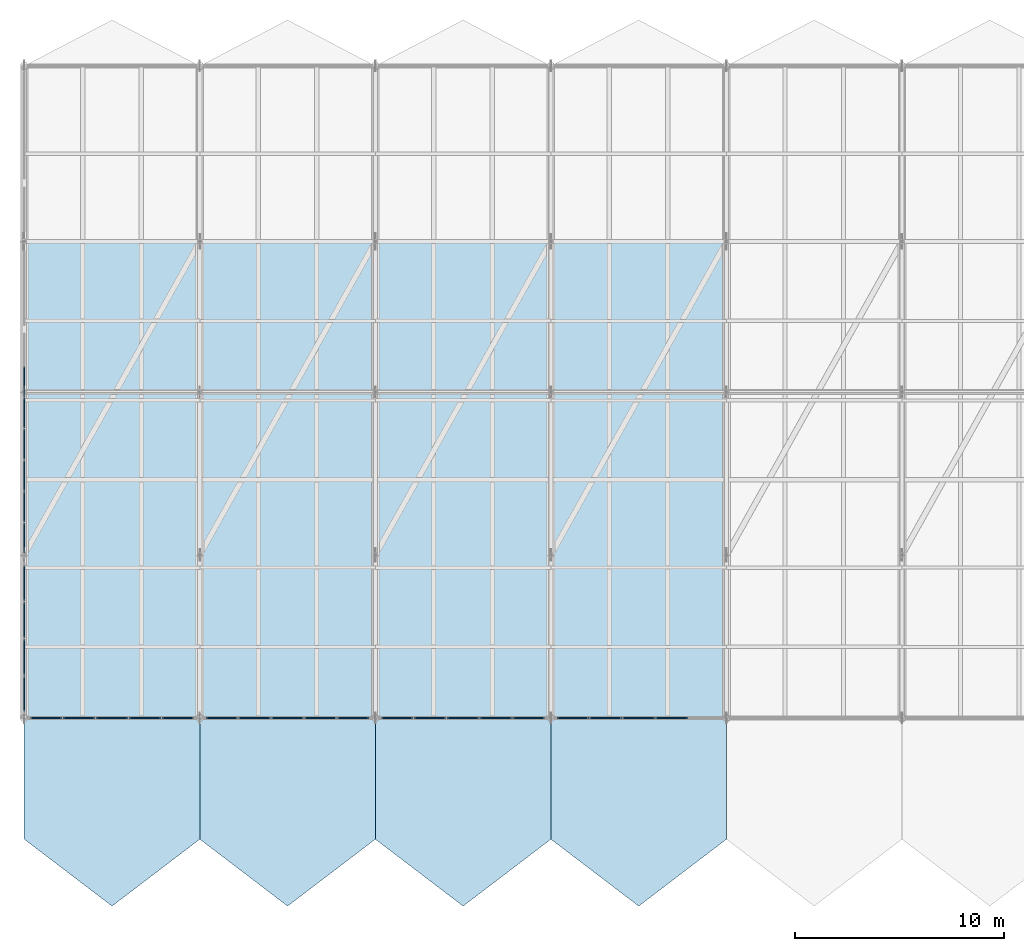
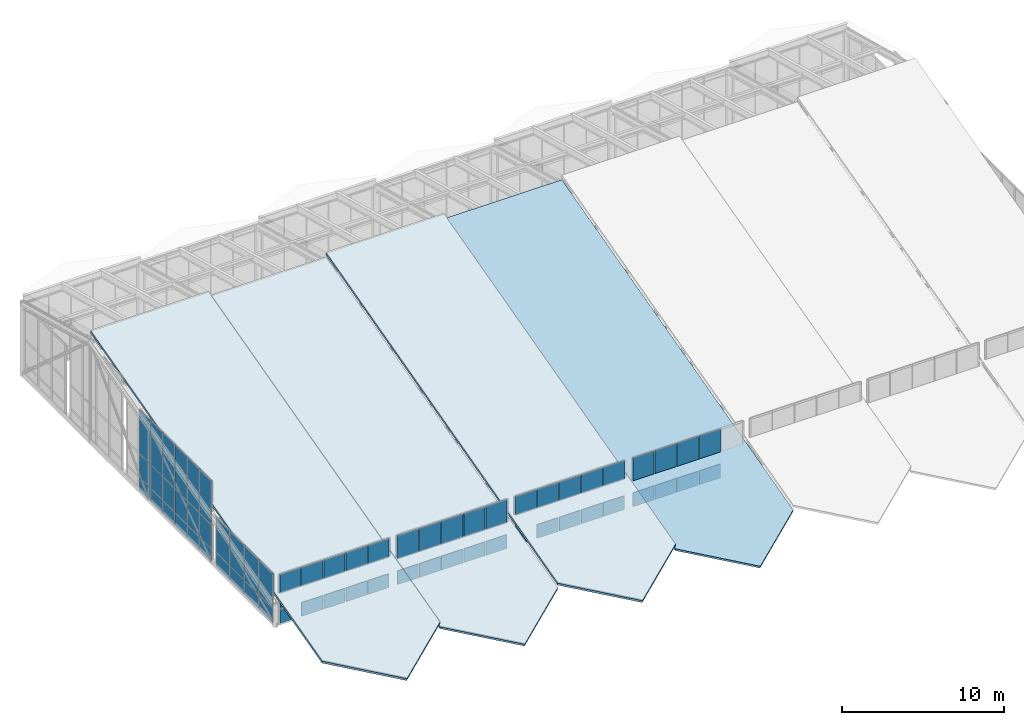
# One storey, part 36 of 43: 64 plates, 4 slabs, 6 elements without a shape of their own.
"""IFC4 building model written with IfcOpenShell, lengths in metres."""

from ifc_helpers import new_model, si_unit, direction, frame, origin, origin_2d, place, context, subcontext, project, spatial, polyline, rectangle, outline, extrude, material, layer, layer_set, type_object, element, aggregate, save


model = new_model("IFC4")

# Units and contexts
model_context = context("Model", 3, precision=1e-05, world=origin(), true_north=direction((0.0, 1.0)))
body_context = subcontext(model_context, "Body", "Model", "MODEL_VIEW")
ifc_project = project(units=[si_unit("LENGTHUNIT", "METRE"), si_unit("AREAUNIT", "SQUARE_METRE"), si_unit("VOLUMEUNIT", "CUBIC_METRE"), si_unit("PLANEANGLEUNIT", "RADIAN"), si_unit("MASSUNIT", "GRAM", prefix="KILO")], contexts=[model_context])

# Site, building, storey
site_placement = place(None, origin())
site = spatial("IfcSite", under=ifc_project, at=site_placement, CompositionType="ELEMENT")
building_placement = place(site_placement, origin())
building = spatial("IfcBuilding", under=site, at=building_placement, Name="Selat Folded Stagehouse", CompositionType="ELEMENT")
storey_placement = place(building_placement, frame((0.0, 0.0, 32.39990234375)))
storey = spatial("IfcBuildingStorey", under=building, at=storey_placement, Name="RF", CompositionType="ELEMENT", Elevation=32.39990234375)

# Curtain wall, plates
ifc_material_1 = material(Name="Aluminium 6063-T6", Category="aluminium")
ifc_layer_1 = layer(ifc_material_1, 0.169921875)
ifc_layer_set_1 = layer_set([ifc_layer_1], Name="Aluminium 6063-T6")
curtain_wall_type = type_object("IfcCurtainWallType", Name="CW-CRN-CLER", PredefinedType="NOTDEFINED", material=ifc_layer_set_1)
curtain_wall_1_placement = place(storey_placement, origin())
curtain_wall_1 = element("IfcCurtainWall", 1, at=curtain_wall_1_placement, inside=storey, type_object=curtain_wall_type, Name="RF curtain wall CW-RF-S-00", PredefinedType="NOTDEFINED")
ifc_material_2 = material(Name="Acoustic weather-louvre and frit crown panel", Category="aluminium")
ifc_layer_2 = layer(ifc_material_2, 0.06201171875)
ifc_layer_set_2 = layer_set([ifc_layer_2], Name="Acoustic weather-louvre and frit crown panel")
plate_type = type_object("IfcPlateType", Name="CWP-LVR-ALU62", PredefinedType="CURTAIN_PANEL", material=ifc_layer_set_2)
plate_1_placement = place(storey_placement, frame((15.7451171875, 23.39990234375, 0.06494140625), z_axis=(0.0, 0.0, 1.0), x_axis=(-1.0, 0.0, 0.0)))
plate_1 = element("IfcPlate", 2, at=plate_1_placement, type_object=plate_type, Name="CW-09 panel 1.1", PredefinedType="CURTAIN_PANEL", context=body_context, shape_type="SweptSolid", body=[
    extrude(rectangle(XDim=1.489990234375, YDim=0.06201171875, at=origin_2d()), origin(), (0.0, 0.0, 1.0), 1.052490234375),
])
plate_2_placement = place(storey_placement, frame((15.7451171875, 23.39990234375, 1.1826171875), z_axis=(0.0, 0.0, 1.0), x_axis=(-1.0, 0.0, 0.0)))
plate_2 = element("IfcPlate", 3, at=plate_2_placement, type_object=plate_type, Name="CW-09 panel 1.2", PredefinedType="CURTAIN_PANEL", context=body_context, shape_type="SweptSolid", body=[
    extrude(rectangle(XDim=1.489990234375, YDim=0.06201171875, at=origin_2d()), origin(), (0.0, 0.0, 1.0), 2.552490234375),
])
plate_3_placement = place(storey_placement, frame((14.179931640625, 23.39990234375, 0.06494140625), z_axis=(0.0, 0.0, 1.0), x_axis=(-1.0, 0.0, 0.0)))
plate_3 = element("IfcPlate", 4, at=plate_3_placement, type_object=plate_type, Name="CW-09 panel 2.1", PredefinedType="CURTAIN_PANEL", context=body_context, shape_type="SweptSolid", body=[
    extrude(rectangle(XDim=1.52001953125, YDim=0.06201171875, at=origin_2d()), origin(), (0.0, 0.0, 1.0), 1.052490234375),
])
plate_4_placement = place(storey_placement, frame((14.179931640625, 23.39990234375, 1.1826171875), z_axis=(0.0, 0.0, 1.0), x_axis=(-1.0, 0.0, 0.0)))
plate_4 = element("IfcPlate", 5, at=plate_4_placement, type_object=plate_type, Name="CW-09 panel 2.2", PredefinedType="CURTAIN_PANEL", context=body_context, shape_type="SweptSolid", body=[
    extrude(rectangle(XDim=1.52001953125, YDim=0.06201171875, at=origin_2d()), origin(), (0.0, 0.0, 1.0), 2.552490234375),
])
plate_5_placement = place(storey_placement, frame((12.60009765625, 23.39990234375, 0.06494140625), z_axis=(0.0, 0.0, 1.0), x_axis=(-1.0, 0.0, 0.0)))
plate_5 = element("IfcPlate", 6, at=plate_5_placement, type_object=plate_type, Name="CW-09 panel 3.1", PredefinedType="CURTAIN_PANEL", context=body_context, shape_type="SweptSolid", body=[
    extrude(rectangle(XDim=1.52001953125, YDim=0.06201171875, at=origin_2d()), origin(), (0.0, 0.0, 1.0), 1.052490234375),
])
plate_6_placement = place(storey_placement, frame((12.60009765625, 23.39990234375, 1.1826171875), z_axis=(0.0, 0.0, 1.0), x_axis=(-1.0, 0.0, 0.0)))
plate_6 = element("IfcPlate", 7, at=plate_6_placement, type_object=plate_type, Name="CW-09 panel 3.2", PredefinedType="CURTAIN_PANEL", context=body_context, shape_type="SweptSolid", body=[
    extrude(rectangle(XDim=1.52001953125, YDim=0.06201171875, at=origin_2d()), origin(), (0.0, 0.0, 1.0), 2.552490234375),
])
plate_7_placement = place(storey_placement, frame((11.02001953125, 23.39990234375, 0.06494140625), z_axis=(0.0, 0.0, 1.0), x_axis=(-1.0, 0.0, 0.0)))
plate_7 = element("IfcPlate", 8, at=plate_7_placement, type_object=plate_type, Name="CW-09 panel 4.1", PredefinedType="CURTAIN_PANEL", context=body_context, shape_type="SweptSolid", body=[
    extrude(rectangle(XDim=1.52001953125, YDim=0.06201171875, at=origin_2d()), origin(), (0.0, 0.0, 1.0), 1.052490234375),
])
plate_8_placement = place(storey_placement, frame((11.02001953125, 23.39990234375, 1.1826171875), z_axis=(0.0, 0.0, 1.0), x_axis=(-1.0, 0.0, 0.0)))
plate_8 = element("IfcPlate", 9, at=plate_8_placement, type_object=plate_type, Name="CW-09 panel 4.2", PredefinedType="CURTAIN_PANEL", context=body_context, shape_type="SweptSolid", body=[
    extrude(rectangle(XDim=1.52001953125, YDim=0.06201171875, at=origin_2d()), origin(), (0.0, 0.0, 1.0), 2.552490234375),
])
plate_9_placement = place(storey_placement, frame((9.455078125, 23.39990234375, 0.06494140625), z_axis=(0.0, 0.0, 1.0), x_axis=(-1.0, 0.0, 0.0)))
plate_9 = element("IfcPlate", 10, at=plate_9_placement, type_object=plate_type, Name="CW-09 panel 5.1", PredefinedType="CURTAIN_PANEL", context=body_context, shape_type="SweptSolid", body=[
    extrude(rectangle(XDim=1.489990234375, YDim=0.06201171875, at=origin_2d()), origin(), (0.0, 0.0, 1.0), 1.052490234375),
])
plate_10_placement = place(storey_placement, frame((9.455078125, 23.39990234375, 1.1826171875), z_axis=(0.0, 0.0, 1.0), x_axis=(-1.0, 0.0, 0.0)))
plate_10 = element("IfcPlate", 11, at=plate_10_placement, type_object=plate_type, Name="CW-09 panel 5.2", PredefinedType="CURTAIN_PANEL", context=body_context, shape_type="SweptSolid", body=[
    extrude(rectangle(XDim=1.489990234375, YDim=0.06201171875, at=origin_2d()), origin(), (0.0, 0.0, 1.0), 2.552490234375),
])
aggregate(curtain_wall_1, [plate_1, plate_2, plate_3, plate_4, plate_5, plate_6, plate_7, plate_8, plate_9, plate_10])

curtain_wall_2_placement = place(storey_placement, origin())
curtain_wall_2 = element("IfcCurtainWall", 12, at=curtain_wall_2_placement, inside=storey, type_object=curtain_wall_type, Name="RF curtain wall CW-RF-S-01", PredefinedType="NOTDEFINED")
plate_11_placement = place(storey_placement, frame((24.14501953125, 23.39990234375, 0.06494140625), z_axis=(0.0, 0.0, 1.0), x_axis=(-1.0, 0.0, 0.0)))
plate_11 = element("IfcPlate", 13, at=plate_11_placement, type_object=plate_type, Name="CW-09 panel 1.1", PredefinedType="CURTAIN_PANEL", context=body_context, shape_type="SweptSolid", body=[
    extrude(rectangle(XDim=1.489990234375, YDim=0.06201171875, at=origin_2d()), origin(), (0.0, 0.0, 1.0), 1.052490234375),
])
plate_12_placement = place(storey_placement, frame((24.14501953125, 23.39990234375, 1.1826171875), z_axis=(0.0, 0.0, 1.0), x_axis=(-1.0, 0.0, 0.0)))
plate_12 = element("IfcPlate", 14, at=plate_12_placement, type_object=plate_type, Name="CW-09 panel 1.2", PredefinedType="CURTAIN_PANEL", context=body_context, shape_type="SweptSolid", body=[
    extrude(rectangle(XDim=1.489990234375, YDim=0.06201171875, at=origin_2d()), origin(), (0.0, 0.0, 1.0), 2.552490234375),
])
plate_13_placement = place(storey_placement, frame((22.580078125, 23.39990234375, 0.06494140625), z_axis=(0.0, 0.0, 1.0), x_axis=(-1.0, 0.0, 0.0)))
plate_13 = element("IfcPlate", 15, at=plate_13_placement, type_object=plate_type, Name="CW-09 panel 2.1", PredefinedType="CURTAIN_PANEL", context=body_context, shape_type="SweptSolid", body=[
    extrude(rectangle(XDim=1.52001953125, YDim=0.06201171875, at=origin_2d()), origin(), (0.0, 0.0, 1.0), 1.052490234375),
])
plate_14_placement = place(storey_placement, frame((22.580078125, 23.39990234375, 1.1826171875), z_axis=(0.0, 0.0, 1.0), x_axis=(-1.0, 0.0, 0.0)))
plate_14 = element("IfcPlate", 16, at=plate_14_placement, type_object=plate_type, Name="CW-09 panel 2.2", PredefinedType="CURTAIN_PANEL", context=body_context, shape_type="SweptSolid", body=[
    extrude(rectangle(XDim=1.52001953125, YDim=0.06201171875, at=origin_2d()), origin(), (0.0, 0.0, 1.0), 2.552490234375),
])
plate_15_placement = place(storey_placement, frame((21.0, 23.39990234375, 0.06494140625), z_axis=(0.0, 0.0, 1.0), x_axis=(-1.0, 0.0, 0.0)))
plate_15 = element("IfcPlate", 17, at=plate_15_placement, type_object=plate_type, Name="CW-09 panel 3.1", PredefinedType="CURTAIN_PANEL", context=body_context, shape_type="SweptSolid", body=[
    extrude(rectangle(XDim=1.52001953125, YDim=0.06201171875, at=origin_2d()), origin(), (0.0, 0.0, 1.0), 1.052490234375),
])
plate_16_placement = place(storey_placement, frame((21.0, 23.39990234375, 1.1826171875), z_axis=(0.0, 0.0, 1.0), x_axis=(-1.0, 0.0, 0.0)))
plate_16 = element("IfcPlate", 18, at=plate_16_placement, type_object=plate_type, Name="CW-09 panel 3.2", PredefinedType="CURTAIN_PANEL", context=body_context, shape_type="SweptSolid", body=[
    extrude(rectangle(XDim=1.52001953125, YDim=0.06201171875, at=origin_2d()), origin(), (0.0, 0.0, 1.0), 2.552490234375),
])
plate_17_placement = place(storey_placement, frame((19.419921875, 23.39990234375, 0.06494140625), z_axis=(0.0, 0.0, 1.0), x_axis=(-1.0, 0.0, 0.0)))
plate_17 = element("IfcPlate", 19, at=plate_17_placement, type_object=plate_type, Name="CW-09 panel 4.1", PredefinedType="CURTAIN_PANEL", context=body_context, shape_type="SweptSolid", body=[
    extrude(rectangle(XDim=1.52001953125, YDim=0.06201171875, at=origin_2d()), origin(), (0.0, 0.0, 1.0), 1.052490234375),
])
plate_18_placement = place(storey_placement, frame((19.419921875, 23.39990234375, 1.1826171875), z_axis=(0.0, 0.0, 1.0), x_axis=(-1.0, 0.0, 0.0)))
plate_18 = element("IfcPlate", 20, at=plate_18_placement, type_object=plate_type, Name="CW-09 panel 4.2", PredefinedType="CURTAIN_PANEL", context=body_context, shape_type="SweptSolid", body=[
    extrude(rectangle(XDim=1.52001953125, YDim=0.06201171875, at=origin_2d()), origin(), (0.0, 0.0, 1.0), 2.552490234375),
])
plate_19_placement = place(storey_placement, frame((17.85498046875, 23.39990234375, 0.06494140625), z_axis=(0.0, 0.0, 1.0), x_axis=(-1.0, 0.0, 0.0)))
plate_19 = element("IfcPlate", 21, at=plate_19_placement, type_object=plate_type, Name="CW-09 panel 5.1", PredefinedType="CURTAIN_PANEL", context=body_context, shape_type="SweptSolid", body=[
    extrude(rectangle(XDim=1.489990234375, YDim=0.06201171875, at=origin_2d()), origin(), (0.0, 0.0, 1.0), 1.052490234375),
])
plate_20_placement = place(storey_placement, frame((17.85498046875, 23.39990234375, 1.1826171875), z_axis=(0.0, 0.0, 1.0), x_axis=(-1.0, 0.0, 0.0)))
plate_20 = element("IfcPlate", 22, at=plate_20_placement, type_object=plate_type, Name="CW-09 panel 5.2", PredefinedType="CURTAIN_PANEL", context=body_context, shape_type="SweptSolid", body=[
    extrude(rectangle(XDim=1.489990234375, YDim=0.06201171875, at=origin_2d()), origin(), (0.0, 0.0, 1.0), 2.552490234375),
])
aggregate(curtain_wall_2, [plate_11, plate_12, plate_13, plate_14, plate_15, plate_16, plate_17, plate_18, plate_19, plate_20])

curtain_wall_3_placement = place(storey_placement, origin())
curtain_wall_3 = element("IfcCurtainWall", 23, at=curtain_wall_3_placement, inside=storey, type_object=curtain_wall_type, Name="RF curtain wall CW-RF-S-02", PredefinedType="NOTDEFINED")
plate_21_placement = place(storey_placement, frame((32.544921875, 23.39990234375, 0.06494140625), z_axis=(0.0, 0.0, 1.0), x_axis=(-1.0, 0.0, 0.0)))
plate_21 = element("IfcPlate", 24, at=plate_21_placement, type_object=plate_type, Name="CW-09 panel 1.1", PredefinedType="CURTAIN_PANEL", context=body_context, shape_type="SweptSolid", body=[
    extrude(rectangle(XDim=1.489990234375, YDim=0.06201171875, at=origin_2d()), origin(), (0.0, 0.0, 1.0), 1.052490234375),
])
plate_22_placement = place(storey_placement, frame((32.544921875, 23.39990234375, 1.1826171875), z_axis=(0.0, 0.0, 1.0), x_axis=(-1.0, 0.0, 0.0)))
plate_22 = element("IfcPlate", 25, at=plate_22_placement, type_object=plate_type, Name="CW-09 panel 1.2", PredefinedType="CURTAIN_PANEL", context=body_context, shape_type="SweptSolid", body=[
    extrude(rectangle(XDim=1.489990234375, YDim=0.06201171875, at=origin_2d()), origin(), (0.0, 0.0, 1.0), 2.552490234375),
])
plate_23_placement = place(storey_placement, frame((30.97998046875, 23.39990234375, 0.06494140625), z_axis=(0.0, 0.0, 1.0), x_axis=(-1.0, 0.0, 0.0)))
plate_23 = element("IfcPlate", 26, at=plate_23_placement, type_object=plate_type, Name="CW-09 panel 2.1", PredefinedType="CURTAIN_PANEL", context=body_context, shape_type="SweptSolid", body=[
    extrude(rectangle(XDim=1.52001953125, YDim=0.06201171875, at=origin_2d()), origin(), (0.0, 0.0, 1.0), 1.052490234375),
])
plate_24_placement = place(storey_placement, frame((30.97998046875, 23.39990234375, 1.1826171875), z_axis=(0.0, 0.0, 1.0), x_axis=(-1.0, 0.0, 0.0)))
plate_24 = element("IfcPlate", 27, at=plate_24_placement, type_object=plate_type, Name="CW-09 panel 2.2", PredefinedType="CURTAIN_PANEL", context=body_context, shape_type="SweptSolid", body=[
    extrude(rectangle(XDim=1.52001953125, YDim=0.06201171875, at=origin_2d()), origin(), (0.0, 0.0, 1.0), 2.552490234375),
])
plate_25_placement = place(storey_placement, frame((29.39990234375, 23.39990234375, 0.06494140625), z_axis=(0.0, 0.0, 1.0), x_axis=(-1.0, 0.0, 0.0)))
plate_25 = element("IfcPlate", 28, at=plate_25_placement, type_object=plate_type, Name="CW-09 panel 3.1", PredefinedType="CURTAIN_PANEL", context=body_context, shape_type="SweptSolid", body=[
    extrude(rectangle(XDim=1.52001953125, YDim=0.06201171875, at=origin_2d()), origin(), (0.0, 0.0, 1.0), 1.052490234375),
])
plate_26_placement = place(storey_placement, frame((29.39990234375, 23.39990234375, 1.1826171875), z_axis=(0.0, 0.0, 1.0), x_axis=(-1.0, 0.0, 0.0)))
plate_26 = element("IfcPlate", 29, at=plate_26_placement, type_object=plate_type, Name="CW-09 panel 3.2", PredefinedType="CURTAIN_PANEL", context=body_context, shape_type="SweptSolid", body=[
    extrude(rectangle(XDim=1.52001953125, YDim=0.06201171875, at=origin_2d()), origin(), (0.0, 0.0, 1.0), 2.552490234375),
])
plate_27_placement = place(storey_placement, frame((27.820068359375, 23.39990234375, 0.06494140625), z_axis=(0.0, 0.0, 1.0), x_axis=(-1.0, 0.0, 0.0)))
plate_27 = element("IfcPlate", 30, at=plate_27_placement, type_object=plate_type, Name="CW-09 panel 4.1", PredefinedType="CURTAIN_PANEL", context=body_context, shape_type="SweptSolid", body=[
    extrude(rectangle(XDim=1.52001953125, YDim=0.06201171875, at=origin_2d()), origin(), (0.0, 0.0, 1.0), 1.052490234375),
])
plate_28_placement = place(storey_placement, frame((27.820068359375, 23.39990234375, 1.1826171875), z_axis=(0.0, 0.0, 1.0), x_axis=(-1.0, 0.0, 0.0)))
plate_28 = element("IfcPlate", 31, at=plate_28_placement, type_object=plate_type, Name="CW-09 panel 4.2", PredefinedType="CURTAIN_PANEL", context=body_context, shape_type="SweptSolid", body=[
    extrude(rectangle(XDim=1.52001953125, YDim=0.06201171875, at=origin_2d()), origin(), (0.0, 0.0, 1.0), 2.552490234375),
])
plate_29_placement = place(storey_placement, frame((26.2548828125, 23.39990234375, 0.06494140625), z_axis=(0.0, 0.0, 1.0), x_axis=(-1.0, 0.0, 0.0)))
plate_29 = element("IfcPlate", 32, at=plate_29_placement, type_object=plate_type, Name="CW-09 panel 5.1", PredefinedType="CURTAIN_PANEL", context=body_context, shape_type="SweptSolid", body=[
    extrude(rectangle(XDim=1.489990234375, YDim=0.06201171875, at=origin_2d()), origin(), (0.0, 0.0, 1.0), 1.052490234375),
])
plate_30_placement = place(storey_placement, frame((26.2548828125, 23.39990234375, 1.1826171875), z_axis=(0.0, 0.0, 1.0), x_axis=(-1.0, 0.0, 0.0)))
plate_30 = element("IfcPlate", 33, at=plate_30_placement, type_object=plate_type, Name="CW-09 panel 5.2", PredefinedType="CURTAIN_PANEL", context=body_context, shape_type="SweptSolid", body=[
    extrude(rectangle(XDim=1.489990234375, YDim=0.06201171875, at=origin_2d()), origin(), (0.0, 0.0, 1.0), 2.552490234375),
])
aggregate(curtain_wall_3, [plate_21, plate_22, plate_23, plate_24, plate_25, plate_26, plate_27, plate_28, plate_29, plate_30])

curtain_wall_4_placement = place(storey_placement, origin())
curtain_wall_4 = element("IfcCurtainWall", 34, at=curtain_wall_4_placement, inside=storey, type_object=curtain_wall_type, Name="RF curtain wall CW-RF-S-03", PredefinedType="NOTDEFINED")
plate_31_placement = place(storey_placement, frame((39.3798828125, 23.39990234375, 0.06494140625), z_axis=(0.0, 0.0, 1.0), x_axis=(-1.0, 0.0, 0.0)))
plate_31 = element("IfcPlate", 35, at=plate_31_placement, type_object=plate_type, Name="CW-09 panel 2.1", PredefinedType="CURTAIN_PANEL", context=body_context, shape_type="SweptSolid", body=[
    extrude(rectangle(XDim=1.52001953125, YDim=0.06201171875, at=origin_2d()), origin(), (0.0, 0.0, 1.0), 1.052490234375),
])
plate_32_placement = place(storey_placement, frame((39.3798828125, 23.39990234375, 1.1826171875), z_axis=(0.0, 0.0, 1.0), x_axis=(-1.0, 0.0, 0.0)))
plate_32 = element("IfcPlate", 36, at=plate_32_placement, type_object=plate_type, Name="CW-09 panel 2.2", PredefinedType="CURTAIN_PANEL", context=body_context, shape_type="SweptSolid", body=[
    extrude(rectangle(XDim=1.52001953125, YDim=0.06201171875, at=origin_2d()), origin(), (0.0, 0.0, 1.0), 2.552490234375),
])
plate_33_placement = place(storey_placement, frame((37.800048828125, 23.39990234375, 0.06494140625), z_axis=(0.0, 0.0, 1.0), x_axis=(-1.0, 0.0, 0.0)))
plate_33 = element("IfcPlate", 37, at=plate_33_placement, type_object=plate_type, Name="CW-09 panel 3.1", PredefinedType="CURTAIN_PANEL", context=body_context, shape_type="SweptSolid", body=[
    extrude(rectangle(XDim=1.52001953125, YDim=0.06201171875, at=origin_2d()), origin(), (0.0, 0.0, 1.0), 1.052490234375),
])
plate_34_placement = place(storey_placement, frame((37.800048828125, 23.39990234375, 1.1826171875), z_axis=(0.0, 0.0, 1.0), x_axis=(-1.0, 0.0, 0.0)))
plate_34 = element("IfcPlate", 38, at=plate_34_placement, type_object=plate_type, Name="CW-09 panel 3.2", PredefinedType="CURTAIN_PANEL", context=body_context, shape_type="SweptSolid", body=[
    extrude(rectangle(XDim=1.52001953125, YDim=0.06201171875, at=origin_2d()), origin(), (0.0, 0.0, 1.0), 2.552490234375),
])
plate_35_placement = place(storey_placement, frame((36.219970703125, 23.39990234375, 0.06494140625), z_axis=(0.0, 0.0, 1.0), x_axis=(-1.0, 0.0, 0.0)))
plate_35 = element("IfcPlate", 39, at=plate_35_placement, type_object=plate_type, Name="CW-09 panel 4.1", PredefinedType="CURTAIN_PANEL", context=body_context, shape_type="SweptSolid", body=[
    extrude(rectangle(XDim=1.52001953125, YDim=0.06201171875, at=origin_2d()), origin(), (0.0, 0.0, 1.0), 1.052490234375),
])
plate_36_placement = place(storey_placement, frame((36.219970703125, 23.39990234375, 1.1826171875), z_axis=(0.0, 0.0, 1.0), x_axis=(-1.0, 0.0, 0.0)))
plate_36 = element("IfcPlate", 40, at=plate_36_placement, type_object=plate_type, Name="CW-09 panel 4.2", PredefinedType="CURTAIN_PANEL", context=body_context, shape_type="SweptSolid", body=[
    extrude(rectangle(XDim=1.52001953125, YDim=0.06201171875, at=origin_2d()), origin(), (0.0, 0.0, 1.0), 2.552490234375),
])
plate_37_placement = place(storey_placement, frame((34.655029296875, 23.39990234375, 0.06494140625), z_axis=(0.0, 0.0, 1.0), x_axis=(-1.0, 0.0, 0.0)))
plate_37 = element("IfcPlate", 41, at=plate_37_placement, type_object=plate_type, Name="CW-09 panel 5.1", PredefinedType="CURTAIN_PANEL", context=body_context, shape_type="SweptSolid", body=[
    extrude(rectangle(XDim=1.489990234375, YDim=0.06201171875, at=origin_2d()), origin(), (0.0, 0.0, 1.0), 1.052490234375),
])
plate_38_placement = place(storey_placement, frame((34.655029296875, 23.39990234375, 1.1826171875), z_axis=(0.0, 0.0, 1.0), x_axis=(-1.0, 0.0, 0.0)))
plate_38 = element("IfcPlate", 42, at=plate_38_placement, type_object=plate_type, Name="CW-09 panel 5.2", PredefinedType="CURTAIN_PANEL", context=body_context, shape_type="SweptSolid", body=[
    extrude(rectangle(XDim=1.489990234375, YDim=0.06201171875, at=origin_2d()), origin(), (0.0, 0.0, 1.0), 2.552490234375),
])
aggregate(curtain_wall_4, [plate_31, plate_32, plate_33, plate_34, plate_35, plate_36, plate_37, plate_38])

curtain_wall_5_placement = place(storey_placement, origin())
curtain_wall_5 = element("IfcCurtainWall", 43, at=curtain_wall_5_placement, inside=storey, type_object=curtain_wall_type, Name="RF curtain wall CW-RF-W-00", PredefinedType="NOTDEFINED")
plate_39_placement = place(storey_placement, frame((8.39990234375, 24.5537109375, 0.06494140625), z_axis=(0.0, 0.0, 1.0), x_axis=(0.0, 1.0, 0.0)))
plate_39 = element("IfcPlate", 44, at=plate_39_placement, type_object=plate_type, Name="CW-09 panel 1.1", PredefinedType="CURTAIN_PANEL", context=body_context, shape_type="SweptSolid", body=[
    extrude(rectangle(XDim=1.677490234375, YDim=0.06201171875, at=origin_2d()), origin(), (0.0, 0.0, 1.0), 1.052490234375),
])
plate_40_placement = place(storey_placement, frame((8.39990234375, 24.5537109375, 1.1826171875), z_axis=(0.0, 0.0, 1.0), x_axis=(0.0, 1.0, 0.0)))
plate_40 = element("IfcPlate", 45, at=plate_40_placement, type_object=plate_type, Name="CW-09 panel 1.2", PredefinedType="CURTAIN_PANEL", context=body_context, shape_type="SweptSolid", body=[
    extrude(rectangle(XDim=1.677490234375, YDim=0.06201171875, at=origin_2d()), origin(), (0.0, 0.0, 1.0), 2.552490234375),
])
plate_41_placement = place(storey_placement, frame((8.39990234375, 26.3125, 0.06494140625), z_axis=(0.0, 0.0, 1.0), x_axis=(0.0, 1.0, 0.0)))
plate_41 = element("IfcPlate", 46, at=plate_41_placement, type_object=plate_type, Name="CW-09 panel 2.1", PredefinedType="CURTAIN_PANEL", context=body_context, shape_type="SweptSolid", body=[
    extrude(rectangle(XDim=1.7099609375, YDim=0.06201171875, at=origin_2d()), origin(), (0.0, 0.0, 1.0), 1.052490234375),
])
plate_42_placement = place(storey_placement, frame((8.39990234375, 26.3125, 1.1826171875), z_axis=(0.0, 0.0, 1.0), x_axis=(0.0, 1.0, 0.0)))
plate_42 = element("IfcPlate", 47, at=plate_42_placement, type_object=plate_type, Name="CW-09 panel 2.2", PredefinedType="CURTAIN_PANEL", context=body_context, shape_type="SweptSolid", body=[
    extrude(rectangle(XDim=1.7099609375, YDim=0.06201171875, at=origin_2d()), origin(), (0.0, 0.0, 1.0), 2.552490234375),
])
plate_43_placement = place(storey_placement, frame((8.39990234375, 28.08740234375, 0.06494140625), z_axis=(0.0, 0.0, 1.0), x_axis=(0.0, 1.0, 0.0)))
plate_43 = element("IfcPlate", 48, at=plate_43_placement, type_object=plate_type, Name="CW-09 panel 3.1", PredefinedType="CURTAIN_PANEL", context=body_context, shape_type="SweptSolid", body=[
    extrude(rectangle(XDim=1.7099609375, YDim=0.06201171875, at=origin_2d()), origin(), (0.0, 0.0, 1.0), 1.052490234375),
])
plate_44_placement = place(storey_placement, frame((8.39990234375, 28.08740234375, 1.1826171875), z_axis=(0.0, 0.0, 1.0), x_axis=(0.0, 1.0, 0.0)))
plate_44 = element("IfcPlate", 49, at=plate_44_placement, type_object=plate_type, Name="CW-09 panel 3.2", PredefinedType="CURTAIN_PANEL", context=body_context, shape_type="SweptSolid", body=[
    extrude(rectangle(XDim=1.7099609375, YDim=0.06201171875, at=origin_2d()), origin(), (0.0, 0.0, 1.0), 2.552490234375),
])
plate_45_placement = place(storey_placement, frame((8.39990234375, 29.84619140625, 0.06494140625), z_axis=(0.0, 0.0, 1.0), x_axis=(0.0, 1.0, 0.0)))
plate_45 = element("IfcPlate", 50, at=plate_45_placement, type_object=plate_type, Name="CW-09 panel 4.1", PredefinedType="CURTAIN_PANEL", context=body_context, shape_type="SweptSolid", body=[
    extrude(rectangle(XDim=1.677490234375, YDim=0.06201171875, at=origin_2d()), origin(), (0.0, 0.0, 1.0), 1.052490234375),
])
plate_46_placement = place(storey_placement, frame((8.39990234375, 29.84619140625, 1.1826171875), z_axis=(0.0, 0.0, 1.0), x_axis=(0.0, 1.0, 0.0)))
plate_46 = element("IfcPlate", 51, at=plate_46_placement, type_object=plate_type, Name="CW-09 panel 4.2", PredefinedType="CURTAIN_PANEL", context=body_context, shape_type="SweptSolid", body=[
    extrude(rectangle(XDim=1.677490234375, YDim=0.06201171875, at=origin_2d()), origin(), (0.0, 0.0, 1.0), 2.552490234375),
])
aggregate(curtain_wall_5, [plate_39, plate_40, plate_41, plate_42, plate_43, plate_44, plate_45, plate_46])

curtain_wall_6_placement = place(storey_placement, origin())
curtain_wall_6 = element("IfcCurtainWall", 52, at=curtain_wall_6_placement, inside=storey, type_object=curtain_wall_type, Name="RF curtain wall CW-RF-W-01", PredefinedType="NOTDEFINED")
plate_47_placement = place(storey_placement, frame((8.39990234375, 32.016357421875, 0.06494140625), z_axis=(0.0, 0.0, 1.0), x_axis=(0.0, 1.0, 0.0)))
plate_47 = element("IfcPlate", 53, at=plate_47_placement, type_object=plate_type, Name="CW-09 panel 1.1", PredefinedType="CURTAIN_PANEL", context=body_context, shape_type="SweptSolid", body=[
    extrude(rectangle(XDim=1.402587890625, YDim=0.06201171875, at=origin_2d()), origin(), (0.0, 0.0, 1.0), 0.952392578125),
])
plate_48_placement = place(storey_placement, frame((8.39990234375, 32.016357421875, 1.08251953125), z_axis=(0.0, 0.0, 1.0), x_axis=(0.0, 1.0, 0.0)))
plate_48 = element("IfcPlate", 54, at=plate_48_placement, type_object=plate_type, Name="CW-09 panel 1.2", PredefinedType="CURTAIN_PANEL", context=body_context, shape_type="SweptSolid", body=[
    extrude(rectangle(XDim=1.402587890625, YDim=0.06201171875, at=origin_2d()), origin(), (0.0, 0.0, 1.0), 1.735107421875),
])
plate_49_placement = place(storey_placement, frame((8.39990234375, 32.016357421875, 2.882568359375), z_axis=(0.0, 0.0, 1.0), x_axis=(0.0, 1.0, 0.0)))
plate_49 = element("IfcPlate", 55, at=plate_49_placement, type_object=plate_type, Name="CW-09 panel 1.3", PredefinedType="CURTAIN_PANEL", context=body_context, shape_type="SweptSolid", body=[
    extrude(rectangle(XDim=1.402587890625, YDim=0.06201171875, at=origin_2d()), origin(), (0.0, 0.0, 1.0), 3.25244140625),
])
plate_50_placement = place(storey_placement, frame((8.39990234375, 33.5, 0.06494140625), z_axis=(0.0, 0.0, 1.0), x_axis=(0.0, 1.0, 0.0)))
plate_50 = element("IfcPlate", 56, at=plate_50_placement, type_object=plate_type, Name="CW-09 panel 2.1", PredefinedType="CURTAIN_PANEL", context=body_context, shape_type="SweptSolid", body=[
    extrude(rectangle(XDim=1.43505859375, YDim=0.06201171875, at=origin_2d()), origin(), (0.0, 0.0, 1.0), 0.952392578125),
])
plate_51_placement = place(storey_placement, frame((8.39990234375, 33.5, 1.08251953125), z_axis=(0.0, 0.0, 1.0), x_axis=(0.0, 1.0, 0.0)))
plate_51 = element("IfcPlate", 57, at=plate_51_placement, type_object=plate_type, Name="CW-09 panel 2.2", PredefinedType="CURTAIN_PANEL", context=body_context, shape_type="SweptSolid", body=[
    extrude(rectangle(XDim=1.43505859375, YDim=0.06201171875, at=origin_2d()), origin(), (0.0, 0.0, 1.0), 1.735107421875),
])
plate_52_placement = place(storey_placement, frame((8.39990234375, 33.5, 2.882568359375), z_axis=(0.0, 0.0, 1.0), x_axis=(0.0, 1.0, 0.0)))
plate_52 = element("IfcPlate", 58, at=plate_52_placement, type_object=plate_type, Name="CW-09 panel 2.3", PredefinedType="CURTAIN_PANEL", context=body_context, shape_type="SweptSolid", body=[
    extrude(rectangle(XDim=1.43505859375, YDim=0.06201171875, at=origin_2d()), origin(), (0.0, 0.0, 1.0), 3.25244140625),
])
plate_53_placement = place(storey_placement, frame((8.39990234375, 35.0, 0.06494140625), z_axis=(0.0, 0.0, 1.0), x_axis=(0.0, 1.0, 0.0)))
plate_53 = element("IfcPlate", 59, at=plate_53_placement, type_object=plate_type, Name="CW-09 panel 3.1", PredefinedType="CURTAIN_PANEL", context=body_context, shape_type="SweptSolid", body=[
    extrude(rectangle(XDim=1.43505859375, YDim=0.06201171875, at=origin_2d()), origin(), (0.0, 0.0, 1.0), 0.952392578125),
])
plate_54_placement = place(storey_placement, frame((8.39990234375, 35.0, 1.08251953125), z_axis=(0.0, 0.0, 1.0), x_axis=(0.0, 1.0, 0.0)))
plate_54 = element("IfcPlate", 60, at=plate_54_placement, type_object=plate_type, Name="CW-09 panel 3.2", PredefinedType="CURTAIN_PANEL", context=body_context, shape_type="SweptSolid", body=[
    extrude(rectangle(XDim=1.43505859375, YDim=0.06201171875, at=origin_2d()), origin(), (0.0, 0.0, 1.0), 1.735107421875),
])
plate_55_placement = place(storey_placement, frame((8.39990234375, 35.0, 2.882568359375), z_axis=(0.0, 0.0, 1.0), x_axis=(0.0, 1.0, 0.0)))
plate_55 = element("IfcPlate", 61, at=plate_55_placement, type_object=plate_type, Name="CW-09 panel 3.3", PredefinedType="CURTAIN_PANEL", context=body_context, shape_type="SweptSolid", body=[
    extrude(rectangle(XDim=1.43505859375, YDim=0.06201171875, at=origin_2d()), origin(), (0.0, 0.0, 1.0), 3.25244140625),
])
plate_56_placement = place(storey_placement, frame((8.39990234375, 36.5, 0.06494140625), z_axis=(0.0, 0.0, 1.0), x_axis=(0.0, 1.0, 0.0)))
plate_56 = element("IfcPlate", 62, at=plate_56_placement, type_object=plate_type, Name="CW-09 panel 4.1", PredefinedType="CURTAIN_PANEL", context=body_context, shape_type="SweptSolid", body=[
    extrude(rectangle(XDim=1.43505859375, YDim=0.06201171875, at=origin_2d()), origin(), (0.0, 0.0, 1.0), 0.952392578125),
])
plate_57_placement = place(storey_placement, frame((8.39990234375, 36.5, 1.08251953125), z_axis=(0.0, 0.0, 1.0), x_axis=(0.0, 1.0, 0.0)))
plate_57 = element("IfcPlate", 63, at=plate_57_placement, type_object=plate_type, Name="CW-09 panel 4.2", PredefinedType="CURTAIN_PANEL", context=body_context, shape_type="SweptSolid", body=[
    extrude(rectangle(XDim=1.43505859375, YDim=0.06201171875, at=origin_2d()), origin(), (0.0, 0.0, 1.0), 1.735107421875),
])
plate_58_placement = place(storey_placement, frame((8.39990234375, 36.5, 2.882568359375), z_axis=(0.0, 0.0, 1.0), x_axis=(0.0, 1.0, 0.0)))
plate_58 = element("IfcPlate", 64, at=plate_58_placement, type_object=plate_type, Name="CW-09 panel 4.3", PredefinedType="CURTAIN_PANEL", context=body_context, shape_type="SweptSolid", body=[
    extrude(rectangle(XDim=1.43505859375, YDim=0.06201171875, at=origin_2d()), origin(), (0.0, 0.0, 1.0), 3.25244140625),
])
plate_59_placement = place(storey_placement, frame((8.39990234375, 38.0, 0.06494140625), z_axis=(0.0, 0.0, 1.0), x_axis=(0.0, 1.0, 0.0)))
plate_59 = element("IfcPlate", 65, at=plate_59_placement, type_object=plate_type, Name="CW-09 panel 5.1", PredefinedType="CURTAIN_PANEL", context=body_context, shape_type="SweptSolid", body=[
    extrude(rectangle(XDim=1.43505859375, YDim=0.06201171875, at=origin_2d()), origin(), (0.0, 0.0, 1.0), 0.952392578125),
])
plate_60_placement = place(storey_placement, frame((8.39990234375, 38.0, 1.08251953125), z_axis=(0.0, 0.0, 1.0), x_axis=(0.0, 1.0, 0.0)))
plate_60 = element("IfcPlate", 66, at=plate_60_placement, type_object=plate_type, Name="CW-09 panel 5.2", PredefinedType="CURTAIN_PANEL", context=body_context, shape_type="SweptSolid", body=[
    extrude(rectangle(XDim=1.43505859375, YDim=0.06201171875, at=origin_2d()), origin(), (0.0, 0.0, 1.0), 1.735107421875),
])
plate_61_placement = place(storey_placement, frame((8.39990234375, 38.0, 2.882568359375), z_axis=(0.0, 0.0, 1.0), x_axis=(0.0, 1.0, 0.0)))
plate_61 = element("IfcPlate", 67, at=plate_61_placement, type_object=plate_type, Name="CW-09 panel 5.3", PredefinedType="CURTAIN_PANEL", context=body_context, shape_type="SweptSolid", body=[
    extrude(rectangle(XDim=1.43505859375, YDim=0.06201171875, at=origin_2d()), origin(), (0.0, 0.0, 1.0), 3.25244140625),
])
plate_62_placement = place(storey_placement, frame((8.39990234375, 39.5, 0.06494140625), z_axis=(0.0, 0.0, 1.0), x_axis=(0.0, 1.0, 0.0)))
plate_62 = element("IfcPlate", 68, at=plate_62_placement, type_object=plate_type, Name="CW-09 panel 6.1", PredefinedType="CURTAIN_PANEL", context=body_context, shape_type="SweptSolid", body=[
    extrude(rectangle(XDim=1.43505859375, YDim=0.06201171875, at=origin_2d()), origin(), (0.0, 0.0, 1.0), 0.952392578125),
])
plate_63_placement = place(storey_placement, frame((8.39990234375, 39.5, 1.08251953125), z_axis=(0.0, 0.0, 1.0), x_axis=(0.0, 1.0, 0.0)))
plate_63 = element("IfcPlate", 69, at=plate_63_placement, type_object=plate_type, Name="CW-09 panel 6.2", PredefinedType="CURTAIN_PANEL", context=body_context, shape_type="SweptSolid", body=[
    extrude(rectangle(XDim=1.43505859375, YDim=0.06201171875, at=origin_2d()), origin(), (0.0, 0.0, 1.0), 1.735107421875),
])
plate_64_placement = place(storey_placement, frame((8.39990234375, 39.5, 2.882568359375), z_axis=(0.0, 0.0, 1.0), x_axis=(0.0, 1.0, 0.0)))
plate_64 = element("IfcPlate", 70, at=plate_64_placement, type_object=plate_type, Name="CW-09 panel 6.3", PredefinedType="CURTAIN_PANEL", context=body_context, shape_type="SweptSolid", body=[
    extrude(rectangle(XDim=1.43505859375, YDim=0.06201171875, at=origin_2d()), origin(), (0.0, 0.0, 1.0), 3.25244140625),
])
aggregate(curtain_wall_6, [plate_47, plate_48, plate_49, plate_50, plate_51, plate_52, plate_53, plate_54, plate_55, plate_56, plate_57, plate_58, plate_59, plate_60, plate_61, plate_62, plate_63, plate_64])

# Slabs
ifc_material_3 = material(Name="Concrete C40/50", Category="concrete")
ifc_layer_3 = layer(ifc_material_3, 0.1650390625)
ifc_layer_set_3 = layer_set([ifc_layer_3], Name="Concrete C40/50")
slab_type_1 = type_object("IfcSlabType", Name="SLAB-ROOF-FP165", PredefinedType="ROOF", material=ifc_layer_set_3)
for number, where, z_axis, x_axis, name in (
    (71, (16.800048828125, 17.60009765625, 0.495361328125), (0.0, -0.255389606444, 0.966838222724), (0.785411868163, -0.598447241501, -0.158079399317), "Sloped folded-plate roof facet RF-FP-B2S"),
    (72, (33.60009765625, 17.60009765625, 0.495361328125), (0.0, -0.255389606444, 0.966838222724), (0.785411868163, -0.598447241501, -0.158079399317), "Sloped folded-plate roof facet RF-FP-B4S"),
):
    element("IfcSlab", number, at=place(storey_placement, frame(where, z_axis=z_axis, x_axis=x_axis)), inside=storey, type_object=slab_type_1, Name=name, PredefinedType="ROOF", context=body_context, shape_type="SweptSolid", body=[
        extrude(outline(polyline([(0.0, 0.0), (5.3474506079199315, -3.885780586188048e-16), (6.597382992190251, 5.199316978113139), (-11.712360913604233, 28.432444241549447), (-18.309743905794484, 23.23312726343631), (0.0, 0.0)])), origin(), (0.0, 0.0, -1.0), 0.1650390625),
    ])
ifc_layer_4 = layer(ifc_material_3, 0.179931640625)
ifc_layer_set_4 = layer_set([ifc_layer_4], Name="Concrete C40/50")
slab_type_2 = type_object("IfcSlabType", Name="SLAB-ROOF-FP180", PredefinedType="ROOF", material=ifc_layer_set_4)
slab_1_placement = place(storey_placement, frame((8.39990234375, 17.60009765625, 0.845458984375), z_axis=(0.0, -0.25539325957, 0.966837257746), x_axis=(0.785423690913, -0.598432139603, -0.158077829066)))
element("IfcSlab", 73, at=slab_1_placement, inside=storey, type_object=slab_type_2, Name="Sloped folded-plate roof facet RF-FP-B1S", PredefinedType="ROOF", context=body_context, shape_type="SweptSolid", body=[
    extrude(outline(polyline([(0.0, 0.0), (5.34768095372193, 0.0), (6.597674055971711, 5.1993420747355605), (-11.711626074983439, 28.43281906483072), (-18.30930013095515, 23.23347699009516), (0.0, 0.0)])), origin(), (0.0, 0.0, -1.0), 0.179931640625),
])
slab_2_placement = place(storey_placement, frame((25.199951171875, 17.60009765625, 0.845458984375), z_axis=(0.0, -0.25539325957, 0.966837257746), x_axis=(0.785406199658, -0.598453598342, -0.158083497463)))
element("IfcSlab", 74, at=slab_2_placement, inside=storey, type_object=slab_type_2, Name="Sloped folded-plate roof facet RF-FP-B3S", PredefinedType="ROOF", context=body_context, shape_type="SweptSolid", body=[
    extrude(outline(polyline([(0.0, 0.0), (5.347489202026266, 1.942890293094024e-16), (6.597527126862472, 5.199528514131977), (-11.712429543865628, 28.432488098539963), (-18.309956670728102, 23.232959584407986), (0.0, 0.0)])), origin(), (0.0, 0.0, -1.0), 0.179931640625),
])

save(model, "model.ifc")
